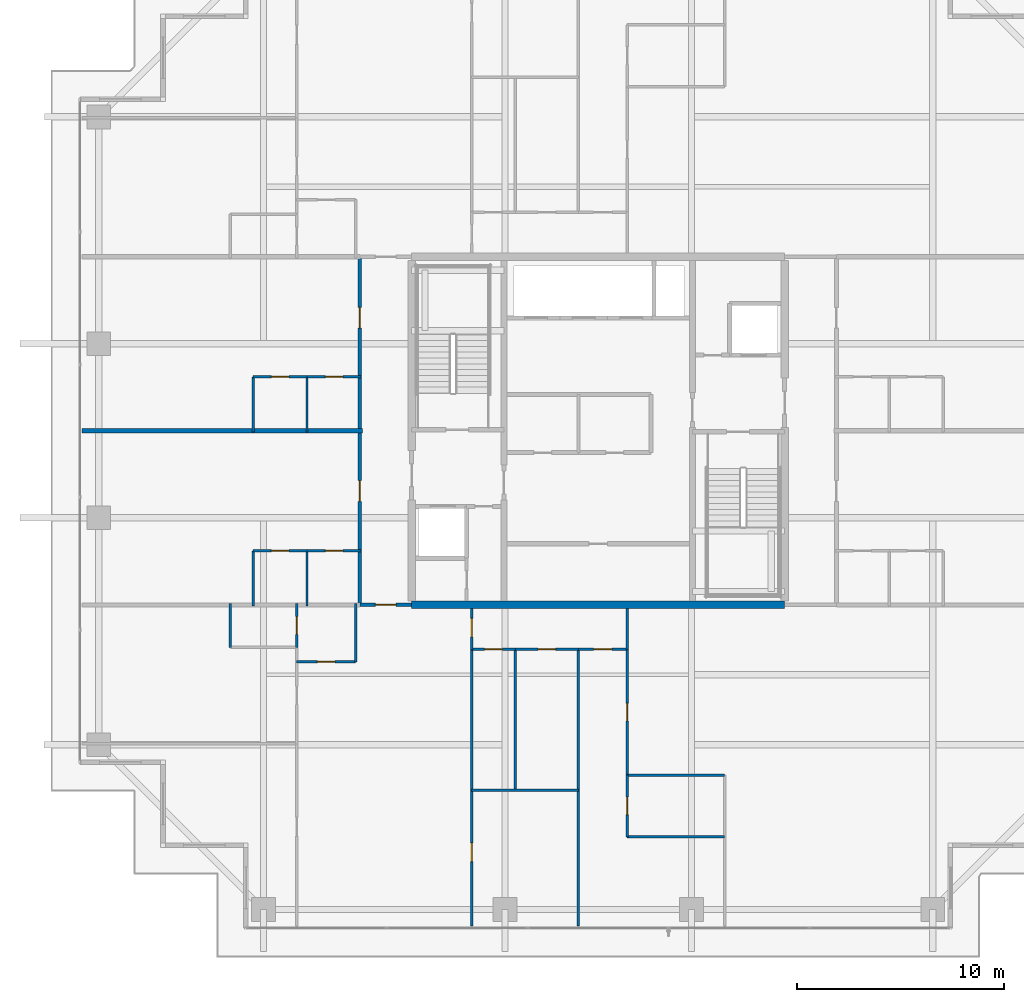
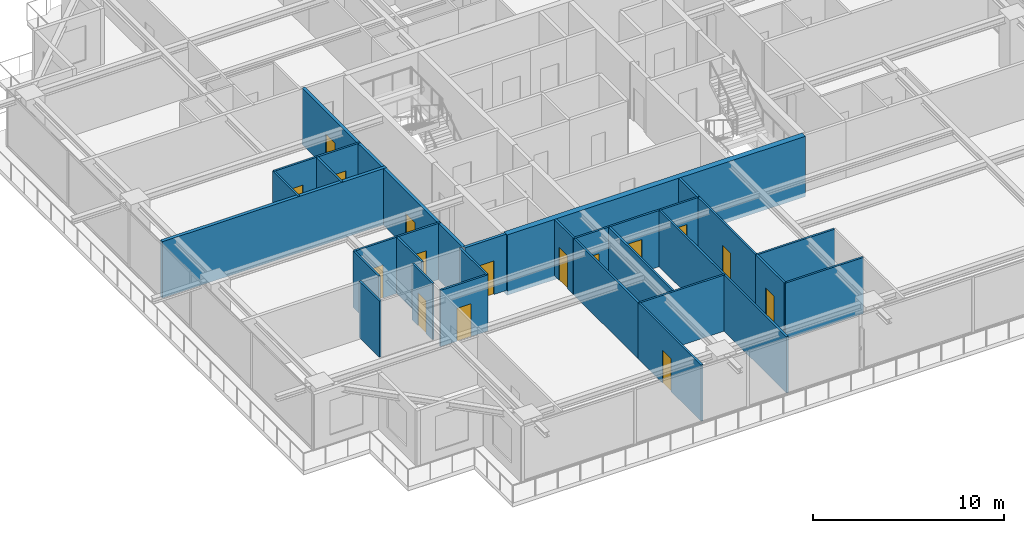
# One storey, part 26 of 38: 30 walls, 16 doors, 16 openings.
"""IFC4 building model written with IfcOpenShell, lengths in metres."""

from ifc_helpers import new_model, si_unit, direction, frame, frame_2d, origin, place, context, subcontext, project, spatial, rectangle, extrude, source, transform, mapped, material, layer, layer_set, type_object, element, fill, save


model = new_model("IFC4")

# Units and contexts
model_context = context("Model", 3, precision=1e-05, world=origin(), true_north=direction((0.0, 1.0)))
body_context = subcontext(model_context, "Body", "Model", "MODEL_VIEW")
ifc_project = project(units=[si_unit("LENGTHUNIT", "METRE"), si_unit("AREAUNIT", "SQUARE_METRE"), si_unit("VOLUMEUNIT", "CUBIC_METRE"), si_unit("PLANEANGLEUNIT", "RADIAN"), si_unit("MASSUNIT", "GRAM", prefix="KILO")], contexts=[model_context])

# Site, building, storey
site_placement = place(None, origin())
site = spatial("IfcSite", under=ifc_project, at=site_placement, CompositionType="ELEMENT")
building_placement = place(site_placement, origin())
building = spatial("IfcBuilding", under=site, at=building_placement, Name="Serunith Strait Residences", CompositionType="ELEMENT")
storey_placement = place(building_placement, frame((0.0, 0.0, 264.35009765625)))
storey = spatial("IfcBuildingStorey", under=building, at=storey_placement, Name="L66", CompositionType="ELEMENT", Elevation=264.35009765625)

# Wall, opening, door
ifc_material_1 = material(Name="Fire-rated acoustic gypsum partition")
ifc_layer_1 = layer(ifc_material_1, 0.179931640625, Name="Fire-rated acoustic gypsum partition")
ifc_layer_set_1 = layer_set([ifc_layer_1], Name="Fire-rated acoustic gypsum partition")
wall_type_1 = type_object("IfcWallType", Name="IW-CORR-180", PredefinedType="PARTITIONING", material=ifc_layer_set_1)
wall_1_placement = place(storey_placement, frame((20.902099609375, 16.800048828125, 0.0), z_axis=(0.0, 0.0, 1.0), x_axis=(1.0, 0.0, 0.0)))
wall_1 = element("IfcWall", 1, at=wall_1_placement, inside=storey, type_object=wall_type_1, Name="L66 Partition Wall 024", PredefinedType="PARTITIONING", context=body_context, shape_type="SweptSolid", body=[
    extrude(rectangle(XDim=2.495849609375, YDim=0.179931640625, at=frame_2d((1.248046875, 0.0))), origin(), (0.0, 0.0, 1.0), 3.58984375),
])
opening_1_placement = place(wall_1_placement, frame((0.748046875, 0.0, 0.0)))
opening_1 = element("IfcOpeningElement", 2, at=opening_1_placement, cuts=wall_1, Name="Opening D-APT1000", PredefinedType="OPENING", context=body_context, shape_type="SweptSolid", body=[
    extrude(rectangle(XDim=1.0, YDim=2.14990234375, at=frame_2d((0.5, 1.074951171875))), frame((0.0, 0.10009765625, 0.0), z_axis=(0.0, -1.0, 0.0), x_axis=(1.0, 0.0, 0.0)), (0.0, 0.0, 1.0), 0.199951171875),
])
ifc_material_2 = material(Name="Solid timber engineered fire door", Category="wood")
door_type_1 = type_object("IfcDoorType", Name="ID-APT-1000", OperationType="NOTDEFINED", PredefinedType="DOOR", material=ifc_material_2)
shared_shape_1 = source(origin(), body_context, "Body", "SweptSolid", [
    extrude(rectangle(XDim=1.0, YDim=2.14990234375, at=frame_2d((0.5, 1.074951171875))), frame((0.0, 0.02490234375, 0.0), z_axis=(0.0, -1.0, 0.0), x_axis=(1.0, 0.0, 0.0)), (0.0, 0.0, 1.0), 0.050048828125),
])
door_1_placement = place(opening_1_placement, origin())
door_1 = element("IfcDoor", 3, at=door_1_placement, inside=storey, type_object=door_type_1, Name="L66 Unit 01 Entrance Door", OperationType="SINGLE_SWING_RIGHT", OverallHeight=2.14990234375, OverallWidth=1.0, PredefinedType="DOOR", context=body_context, shape_type="MappedRepresentation", body=[
    mapped(shared_shape_1, transform((0.0, 0.0, 0.0), scale=1.0)),
])
fill(opening_1, door_1)

# Wall, openings, doors
wall_2_placement = place(storey_placement, frame((20.89990234375, 16.800048828125, 0.0), z_axis=(0.0, 0.0, 1.0), x_axis=(0.0, 1.0, 0.0)))
wall_2 = element("IfcWall", 4, at=wall_2_placement, inside=storey, type_object=wall_type_1, Name="L66 Partition Wall 026", PredefinedType="PARTITIONING", context=body_context, shape_type="SweptSolid", body=[
    extrude(rectangle(XDim=16.800048828125, YDim=0.179931640625, at=frame_2d((8.39990234375, 0.0))), origin(), (0.0, 0.0, 1.0), 3.58984375),
])
opening_2_placement = place(wall_2_placement, frame((4.992919921875, 0.0, 0.0)))
opening_2 = element("IfcOpeningElement", 5, at=opening_2_placement, cuts=wall_2, Name="Opening D-APT1000", PredefinedType="OPENING", context=body_context, shape_type="SweptSolid", body=[
    extrude(rectangle(XDim=1.0, YDim=2.14990234375, at=frame_2d((0.5, 1.074951171875))), frame((0.0, 0.10009765625, 0.0), z_axis=(0.0, -1.0, 0.0), x_axis=(1.0, 0.0, 0.0)), (0.0, 0.0, 1.0), 0.199951171875),
])
opening_3_placement = place(wall_2_placement, frame((13.35107421875, 0.0, 0.0)))
opening_3 = element("IfcOpeningElement", 6, at=opening_3_placement, cuts=wall_2, Name="Opening D-APT1000", PredefinedType="OPENING", context=body_context, shape_type="SweptSolid", body=[
    extrude(rectangle(XDim=1.0, YDim=2.14990234375, at=frame_2d((0.5, 1.074951171875))), frame((0.0, 0.10009765625, 0.0), z_axis=(0.0, -1.0, 0.0), x_axis=(1.0, 0.0, 0.0)), (0.0, 0.0, 1.0), 0.199951171875),
])
door_2_placement = place(opening_2_placement, origin())
door_2 = element("IfcDoor", 7, at=door_2_placement, inside=storey, type_object=door_type_1, Name="L66 Unit 03 Entrance Door", OperationType="SINGLE_SWING_RIGHT", OverallHeight=2.14990234375, OverallWidth=1.0, PredefinedType="DOOR", context=body_context, shape_type="MappedRepresentation", body=[
    mapped(shared_shape_1, transform((0.0, 0.0, 0.0), scale=1.0)),
])
fill(opening_2, door_2)
door_3_placement = place(opening_3_placement, origin())
door_3 = element("IfcDoor", 8, at=door_3_placement, inside=storey, type_object=door_type_1, Name="L66 Unit 04 Entrance Door", OperationType="SINGLE_SWING_LEFT", OverallHeight=2.14990234375, OverallWidth=1.0, PredefinedType="DOOR", context=body_context, shape_type="MappedRepresentation", body=[
    mapped(shared_shape_1, transform((0.0, 0.0, 0.0), scale=1.0)),
])
fill(opening_3, door_3)

# Wall, opening, door
ifc_material_3 = material(Name="Lightweight steel-stud gypsum partition", Category="steel")
ifc_layer_2 = layer(ifc_material_3, 0.1201171875, Name="Lightweight steel-stud gypsum partition")
ifc_layer_set_2 = layer_set([ifc_layer_2], Name="Lightweight steel-stud gypsum partition")
wall_type_2 = type_object("IfcWallType", Name="IW-PART-120", PredefinedType="PARTITIONING", material=ifc_layer_set_2)
wall_3_placement = place(storey_placement, frame((17.85009765625, 14.050048828125, 0.0), z_axis=(0.0, 0.0, 1.0), x_axis=(1.0, 0.0, 0.0)))
wall_3 = element("IfcWall", 9, at=wall_3_placement, inside=storey, type_object=wall_type_2, Name="L66 Partition Wall 030", PredefinedType="PARTITIONING", context=body_context, shape_type="SweptSolid", body=[
    extrude(rectangle(XDim=2.849853515625, YDim=0.1201171875, at=frame_2d((1.4248046875, 0.0))), origin(), (0.0, 0.0, 1.0), 3.58984375),
])
opening_4_placement = place(wall_3_placement, frame((1.0, 0.0, 0.0)))
opening_4 = element("IfcOpeningElement", 10, at=opening_4_placement, cuts=wall_3, Name="Opening D-RM850", PredefinedType="OPENING", context=body_context, shape_type="SweptSolid", body=[
    extrude(rectangle(XDim=0.85009765625, YDim=2.10009765625, at=frame_2d((0.425048828125, 1.050048828125))), frame((0.0, 0.070068359375, 0.0), z_axis=(0.0, -1.0, 0.0), x_axis=(1.0, 0.0, 0.0)), (0.0, 0.0, 1.0), 0.14013671875),
])
ifc_material_4 = material(Name="Engineered timber flush study and kitchen door", Category="wood")
door_type_2 = type_object("IfcDoorType", Name="ID-ROOM-850", OperationType="NOTDEFINED", PredefinedType="DOOR", material=ifc_material_4)
shared_shape_2 = source(origin(), body_context, "Body", "SweptSolid", [
    extrude(rectangle(XDim=0.85009765625, YDim=2.10009765625, at=frame_2d((0.425048828125, 1.050048828125))), frame((0.0, 0.02490234375, 0.0), z_axis=(0.0, -1.0, 0.0), x_axis=(1.0, 0.0, 0.0)), (0.0, 0.0, 1.0), 0.050048828125),
])
door_4_placement = place(opening_4_placement, origin())
door_4 = element("IfcDoor", 11, at=door_4_placement, inside=storey, type_object=door_type_2, Name="L66 Kitchen 6601 Door", OperationType="SINGLE_SWING_RIGHT", OverallHeight=2.10009765625, OverallWidth=0.85009765625, PredefinedType="DOOR", context=body_context, shape_type="MappedRepresentation", body=[
    mapped(shared_shape_2, transform((0.0, 0.0, 0.0), scale=1.0)),
])
fill(opening_4, door_4)

# Walls
wall_4_placement = place(storey_placement, frame((20.699951171875, 14.050048828125, 0.0), z_axis=(0.0, 0.0, 1.0), x_axis=(0.0, 1.0, 0.0)))
element("IfcWall", 12, at=wall_4_placement, inside=storey, type_object=wall_type_2, Name="L66 Partition Wall 031", PredefinedType="PARTITIONING", context=body_context, shape_type="SweptSolid", body=[
    extrude(rectangle(XDim=2.81005859375, YDim=0.1201171875, at=frame_2d((1.405029296875, 0.0))), origin(), (0.0, 0.0, 1.0), 3.58984375),
])
wall_5_placement = place(storey_placement, frame((14.64990234375, 14.75, 0.0), z_axis=(0.0, 0.0, 1.0), x_axis=(0.0, 1.0, 0.0)))
element("IfcWall", 13, at=wall_5_placement, inside=storey, type_object=wall_type_2, Name="L66 Partition Wall 035", PredefinedType="PARTITIONING", context=body_context, shape_type="SweptSolid", body=[
    extrude(rectangle(XDim=2.110107421875, YDim=0.1201171875, at=frame_2d((1.05517578125, 0.0))), origin(), (0.0, 0.0, 1.0), 3.58984375),
])

# Wall, opening, door
wall_6_placement = place(storey_placement, frame((17.85009765625, 14.751953125, 0.0), z_axis=(0.0, 0.0, 1.0), x_axis=(0.0, 1.0, 0.0)))
wall_6 = element("IfcWall", 14, at=wall_6_placement, inside=storey, type_object=wall_type_2, Name="L66 Partition Wall 037", PredefinedType="PARTITIONING", context=body_context, shape_type="SweptSolid", body=[
    extrude(rectangle(XDim=2.108154296875, YDim=0.1201171875, at=frame_2d((1.05419921875, 0.0))), origin(), (0.0, 0.0, 1.0), 3.58984375),
])
opening_5_placement = place(wall_6_placement, frame((0.62890625, 0.0, 0.0)))
opening_5 = element("IfcOpeningElement", 15, at=opening_5_placement, cuts=wall_6, Name="Opening D-BTH850", PredefinedType="OPENING", context=body_context, shape_type="SweptSolid", body=[
    extrude(rectangle(XDim=0.85009765625, YDim=2.10009765625, at=frame_2d((0.425048828125, 1.050048828125))), frame((0.0, 0.070068359375, 0.0), z_axis=(0.0, -1.0, 0.0), x_axis=(1.0, 0.0, 0.0)), (0.0, 0.0, 1.0), 0.14013671875),
])
ifc_material_5 = material(Name="Moisture-resistant timber bathroom door", Category="wood")
door_type_3 = type_object("IfcDoorType", Name="ID-BATH-850", OperationType="NOTDEFINED", PredefinedType="DOOR", material=ifc_material_5)
door_5_placement = place(opening_5_placement, origin())
door_5 = element("IfcDoor", 16, at=door_5_placement, inside=storey, type_object=door_type_3, Name="L66 Bathroom 6601 Door", OperationType="SINGLE_SWING_LEFT", OverallHeight=2.10009765625, OverallWidth=0.85009765625, PredefinedType="DOOR", context=body_context, shape_type="MappedRepresentation", body=[
    mapped(shared_shape_2, transform((0.0, 0.0, 0.0), scale=1.0)),
])
fill(opening_5, door_5)

wall_7_placement = place(storey_placement, frame((26.300048828125, 14.64990234375, 0.0), z_axis=(0.0, 0.0, 1.0), x_axis=(0.0, 1.0, 0.0)))
wall_7 = element("IfcWall", 17, at=wall_7_placement, inside=storey, type_object=wall_type_2, Name="L66 Partition Wall 038", PredefinedType="PARTITIONING", context=body_context, shape_type="SweptSolid", body=[
    extrude(rectangle(XDim=1.97509765625, YDim=0.1201171875, at=frame_2d((0.987548828125, 0.0))), origin(), (0.0, 0.0, 1.0), 3.58984375),
])
opening_6_placement = place(wall_7_placement, frame((0.60107421875, 0.0, 0.0)))
opening_6 = element("IfcOpeningElement", 18, at=opening_6_placement, cuts=wall_7, Name="Opening D-RM900", PredefinedType="OPENING", context=body_context, shape_type="SweptSolid", body=[
    extrude(rectangle(XDim=0.89990234375, YDim=2.10009765625, at=frame_2d((0.449951171875, 1.050048828125))), frame((0.0, 0.070068359375, 0.0), z_axis=(0.0, -1.0, 0.0), x_axis=(1.0, 0.0, 0.0)), (0.0, 0.0, 1.0), 0.14013671875),
])
ifc_material_6 = material(Name="Engineered timber flush bedroom door", Category="wood")
door_type_4 = type_object("IfcDoorType", Name="ID-ROOM-900", OperationType="NOTDEFINED", PredefinedType="DOOR", material=ifc_material_6)
shared_shape_3 = source(origin(), body_context, "Body", "SweptSolid", [
    extrude(rectangle(XDim=0.89990234375, YDim=2.10009765625, at=frame_2d((0.449951171875, 1.050048828125))), frame((0.0, 0.02490234375, 0.0), z_axis=(0.0, -1.0, 0.0), x_axis=(1.0, 0.0, 0.0)), (0.0, 0.0, 1.0), 0.050048828125),
])
door_6_placement = place(opening_6_placement, origin())
door_6 = element("IfcDoor", 19, at=door_6_placement, inside=storey, type_object=door_type_4, Name="L66 Hall E 6601 Door", OperationType="SINGLE_SWING_RIGHT", OverallHeight=2.10009765625, OverallWidth=0.89990234375, PredefinedType="DOOR", context=body_context, shape_type="MappedRepresentation", body=[
    mapped(shared_shape_3, transform((0.0, 0.0, 0.0), scale=1.0)),
])
fill(opening_6, door_6)

wall_8_placement = place(storey_placement, frame((26.300048828125, 1.294921875, 0.0), z_axis=(0.0, 0.0, 1.0), x_axis=(0.0, 1.0, 0.0)))
wall_8 = element("IfcWall", 20, at=wall_8_placement, inside=storey, type_object=wall_type_2, Name="L66 Partition Wall 039", PredefinedType="PARTITIONING", context=body_context, shape_type="SweptSolid", body=[
    extrude(rectangle(XDim=6.565185546875, YDim=0.1201171875, at=frame_2d((3.28271484375, 0.0))), origin(), (0.0, 0.0, 1.0), 3.58984375),
])
opening_7_placement = place(wall_8_placement, frame((3.115966796875, 0.0, 0.0)))
opening_7 = element("IfcOpeningElement", 21, at=opening_7_placement, cuts=wall_8, Name="Opening D-RM900", PredefinedType="OPENING", context=body_context, shape_type="SweptSolid", body=[
    extrude(rectangle(XDim=0.89990234375, YDim=2.10009765625, at=frame_2d((0.449951171875, 1.050048828125))), frame((0.0, 0.070068359375, 0.0), z_axis=(0.0, -1.0, 0.0), x_axis=(1.0, 0.0, 0.0)), (0.0, 0.0, 1.0), 0.14013671875),
])
door_7_placement = place(opening_7_placement, origin())
door_7 = element("IfcDoor", 22, at=door_7_placement, inside=storey, type_object=door_type_4, Name="L66 Formal Dining Room 2 6601 Door", OperationType="SINGLE_SWING_LEFT", OverallHeight=2.10009765625, OverallWidth=0.89990234375, PredefinedType="DOOR", context=body_context, shape_type="MappedRepresentation", body=[
    mapped(shared_shape_3, transform((0.0, 0.0, 0.0), scale=1.0)),
])
fill(opening_7, door_7)

# Walls
wall_9_placement = place(storey_placement, frame((26.300048828125, 7.862060546875, 0.0), z_axis=(0.0, 0.0, 1.0), x_axis=(0.0, 1.0, 0.0)))
element("IfcWall", 23, at=wall_9_placement, inside=storey, type_object=wall_type_2, Name="L66 Partition Wall 040", PredefinedType="PARTITIONING", context=body_context, shape_type="SweptSolid", body=[
    extrude(rectangle(XDim=6.785888671875, YDim=0.1201171875, at=frame_2d((3.39306640625, 0.0))), origin(), (0.0, 0.0, 1.0), 3.58984375),
])
wall_10_placement = place(storey_placement, frame((26.300048828125, 7.860107421875, 0.0), z_axis=(0.0, 0.0, 1.0), x_axis=(1.0, 0.0, 0.0)))
element("IfcWall", 24, at=wall_10_placement, inside=storey, type_object=wall_type_2, Name="L66 Partition Wall 041", PredefinedType="PARTITIONING", context=body_context, shape_type="SweptSolid", body=[
    extrude(rectangle(XDim=5.14990234375, YDim=0.1201171875, at=frame_2d((2.574951171875, 0.0))), origin(), (0.0, 0.0, 1.0), 3.58984375),
])
wall_11_placement = place(storey_placement, frame((31.449951171875, 1.294921875, 0.0), z_axis=(0.0, 0.0, 1.0), x_axis=(0.0, 1.0, 0.0)))
element("IfcWall", 25, at=wall_11_placement, inside=storey, type_object=wall_type_2, Name="L66 Partition Wall 042", PredefinedType="PARTITIONING", context=body_context, shape_type="SweptSolid", body=[
    extrude(rectangle(XDim=13.35498046875, YDim=0.1201171875, at=frame_2d((6.677490234375, 0.0))), origin(), (0.0, 0.0, 1.0), 3.58984375),
])
wall_12_placement = place(storey_placement, frame((28.39990234375, 7.860107421875, 0.0), z_axis=(0.0, 0.0, 1.0), x_axis=(0.0, 1.0, 0.0)))
element("IfcWall", 26, at=wall_12_placement, inside=storey, type_object=wall_type_2, Name="L66 Partition Wall 043", PredefinedType="PARTITIONING", context=body_context, shape_type="SweptSolid", body=[
    extrude(rectangle(XDim=6.789794921875, YDim=0.1201171875, at=frame_2d((3.39501953125, 0.0))), origin(), (0.0, 0.0, 1.0), 3.58984375),
])

# Wall, opening, door
wall_13_placement = place(storey_placement, frame((26.300048828125, 14.64990234375, 0.0), z_axis=(0.0, 0.0, 1.0), x_axis=(1.0, 0.0, 0.0)))
wall_13 = element("IfcWall", 27, at=wall_13_placement, inside=storey, type_object=wall_type_2, Name="L66 Partition Wall 044", PredefinedType="PARTITIONING", context=body_context, shape_type="SweptSolid", body=[
    extrude(rectangle(XDim=2.099853515625, YDim=0.1201171875, at=frame_2d((1.0498046875, 0.0))), origin(), (0.0, 0.0, 1.0), 3.58984375),
])
opening_8_placement = place(wall_13_placement, frame((0.625, 0.0, 0.0)))
opening_8 = element("IfcOpeningElement", 28, at=opening_8_placement, cuts=wall_13, Name="Opening D-RM850", PredefinedType="OPENING", context=body_context, shape_type="SweptSolid", body=[
    extrude(rectangle(XDim=0.85009765625, YDim=2.10009765625, at=frame_2d((0.425048828125, 1.050048828125))), frame((0.0, 0.070068359375, 0.0), z_axis=(0.0, -1.0, 0.0), x_axis=(1.0, 0.0, 0.0)), (0.0, 0.0, 1.0), 0.14013671875),
])
door_8_placement = place(opening_8_placement, origin())
door_8 = element("IfcDoor", 29, at=door_8_placement, inside=storey, type_object=door_type_2, Name="L66 Study 6601 Door", OperationType="SINGLE_SWING_RIGHT", OverallHeight=2.10009765625, OverallWidth=0.85009765625, PredefinedType="DOOR", context=body_context, shape_type="MappedRepresentation", body=[
    mapped(shared_shape_2, transform((0.0, 0.0, 0.0), scale=1.0)),
])
fill(opening_8, door_8)

wall_14_placement = place(storey_placement, frame((28.402099609375, 14.64990234375, 0.0), z_axis=(0.0, 0.0, 1.0), x_axis=(1.0, 0.0, 0.0)))
wall_14 = element("IfcWall", 30, at=wall_14_placement, inside=storey, type_object=wall_type_2, Name="L66 Partition Wall 045", PredefinedType="PARTITIONING", context=body_context, shape_type="SweptSolid", body=[
    extrude(rectangle(XDim=3.0478515625, YDim=0.1201171875, at=frame_2d((1.52392578125, 0.0))), origin(), (0.0, 0.0, 1.0), 3.58984375),
])
opening_9_placement = place(wall_14_placement, frame((1.09912109375, 0.0, 0.0)))
opening_9 = element("IfcOpeningElement", 31, at=opening_9_placement, cuts=wall_14, Name="Opening D-RM850", PredefinedType="OPENING", context=body_context, shape_type="SweptSolid", body=[
    extrude(rectangle(XDim=0.85009765625, YDim=2.10009765625, at=frame_2d((0.425048828125, 1.050048828125))), frame((0.0, 0.070068359375, 0.0), z_axis=(0.0, -1.0, 0.0), x_axis=(1.0, 0.0, 0.0)), (0.0, 0.0, 1.0), 0.14013671875),
])
door_9_placement = place(opening_9_placement, origin())
door_9 = element("IfcDoor", 32, at=door_9_placement, inside=storey, type_object=door_type_2, Name="L66 Formal Dining Room 6601 Door", OperationType="SINGLE_SWING_LEFT", OverallHeight=2.10009765625, OverallWidth=0.85009765625, PredefinedType="DOOR", context=body_context, shape_type="MappedRepresentation", body=[
    mapped(shared_shape_2, transform((0.0, 0.0, 0.0), scale=1.0)),
])
fill(opening_9, door_9)

wall_15_placement = place(storey_placement, frame((31.451904296875, 14.64990234375, 0.0), z_axis=(0.0, 0.0, 1.0), x_axis=(1.0, 0.0, 0.0)))
wall_15 = element("IfcWall", 33, at=wall_15_placement, inside=storey, type_object=wall_type_2, Name="L66 Partition Wall 046", PredefinedType="PARTITIONING", context=body_context, shape_type="SweptSolid", body=[
    extrude(rectangle(XDim=2.34814453125, YDim=0.1201171875, at=frame_2d((1.174072265625, 0.0))), origin(), (0.0, 0.0, 1.0), 3.58984375),
])
opening_10_placement = place(wall_15_placement, frame((0.72412109375, 0.0, 0.0)))
opening_10 = element("IfcOpeningElement", 34, at=opening_10_placement, cuts=wall_15, Name="Opening D-RM900", PredefinedType="OPENING", context=body_context, shape_type="SweptSolid", body=[
    extrude(rectangle(XDim=0.89990234375, YDim=2.10009765625, at=frame_2d((0.449951171875, 1.050048828125))), frame((0.0, 0.070068359375, 0.0), z_axis=(0.0, -1.0, 0.0), x_axis=(1.0, 0.0, 0.0)), (0.0, 0.0, 1.0), 0.14013671875),
])
door_10_placement = place(opening_10_placement, origin())
door_10 = element("IfcDoor", 35, at=door_10_placement, inside=storey, type_object=door_type_4, Name="L66 Master Bedroom E 6601 Door", OperationType="SINGLE_SWING_RIGHT", OverallHeight=2.10009765625, OverallWidth=0.89990234375, PredefinedType="DOOR", context=body_context, shape_type="MappedRepresentation", body=[
    mapped(shared_shape_3, transform((0.0, 0.0, 0.0), scale=1.0)),
])
fill(opening_10, door_10)

# Walls
for number, where, z_axis, x_axis, name in (
    (36, (33.800048828125, 5.60888671875, 0.0), (0.0, 0.0, 1.0), (1.0, 0.0, 0.0), "L66 Partition Wall 047"),
    (37, (33.800048828125, 8.587890625, 0.0), (0.0, 0.0, 1.0), (1.0, 0.0, 0.0), "L66 Partition Wall 049"),
):
    element("IfcWall", number, at=place(storey_placement, frame(where, z_axis=z_axis, x_axis=x_axis)), inside=storey, type_object=wall_type_2, Name=name, PredefinedType="PARTITIONING", context=body_context, shape_type="SweptSolid", body=[
        extrude(rectangle(XDim=4.699951171875, YDim=0.1201171875, at=frame_2d((2.35009765625, 0.0))), origin(), (0.0, 0.0, 1.0), 3.58984375),
    ])

# Wall, opening, door
wall_16_placement = place(storey_placement, frame((33.800048828125, 5.60888671875, 0.0), z_axis=(0.0, 0.0, 1.0), x_axis=(0.0, 1.0, 0.0)))
wall_16 = element("IfcWall", 38, at=wall_16_placement, inside=storey, type_object=wall_type_2, Name="L66 Partition Wall 050", PredefinedType="PARTITIONING", context=body_context, shape_type="SweptSolid", body=[
    extrude(rectangle(XDim=2.97900390625, YDim=0.1201171875, at=frame_2d((1.489501953125, 0.0))), origin(), (0.0, 0.0, 1.0), 3.58984375),
])
opening_11_placement = place(wall_16_placement, frame((1.06396484375, 0.0, 0.0)))
opening_11 = element("IfcOpeningElement", 39, at=opening_11_placement, cuts=wall_16, Name="Opening D-BTH850", PredefinedType="OPENING", context=body_context, shape_type="SweptSolid", body=[
    extrude(rectangle(XDim=0.85009765625, YDim=2.10009765625, at=frame_2d((0.425048828125, 1.050048828125))), frame((0.0, 0.070068359375, 0.0), z_axis=(0.0, -1.0, 0.0), x_axis=(1.0, 0.0, 0.0)), (0.0, 0.0, 1.0), 0.14013671875),
])
door_11_placement = place(opening_11_placement, origin())
door_11 = element("IfcDoor", 40, at=door_11_placement, inside=storey, type_object=door_type_3, Name="L66 En-suite Bathroom E 6601 Door", OperationType="SINGLE_SWING_LEFT", OverallHeight=2.10009765625, OverallWidth=0.85009765625, PredefinedType="DOOR", context=body_context, shape_type="MappedRepresentation", body=[
    mapped(shared_shape_2, transform((0.0, 0.0, 0.0), scale=1.0)),
])
fill(opening_11, door_11)

wall_17_placement = place(storey_placement, frame((33.800048828125, 8.590087890625, 0.0), z_axis=(0.0, 0.0, 1.0), x_axis=(0.0, 1.0, 0.0)))
wall_17 = element("IfcWall", 41, at=wall_17_placement, inside=storey, type_object=wall_type_2, Name="L66 Partition Wall 051", PredefinedType="PARTITIONING", context=body_context, shape_type="SweptSolid", body=[
    extrude(rectangle(XDim=6.059814453125, YDim=0.1201171875, at=frame_2d((3.02978515625, 0.0))), origin(), (0.0, 0.0, 1.0), 3.58984375),
])
opening_12_placement = place(wall_17_placement, frame((2.60498046875, 0.0, 0.0)))
opening_12 = element("IfcOpeningElement", 42, at=opening_12_placement, cuts=wall_17, Name="Opening D-RM850", PredefinedType="OPENING", context=body_context, shape_type="SweptSolid", body=[
    extrude(rectangle(XDim=0.85009765625, YDim=2.10009765625, at=frame_2d((0.425048828125, 1.050048828125))), frame((0.0, 0.070068359375, 0.0), z_axis=(0.0, -1.0, 0.0), x_axis=(1.0, 0.0, 0.0)), (0.0, 0.0, 1.0), 0.14013671875),
])
door_12_placement = place(opening_12_placement, origin())
door_12 = element("IfcDoor", 43, at=door_12_placement, inside=storey, type_object=door_type_2, Name="L66 Wardrobe E 6601 Door", OperationType="SINGLE_SWING_RIGHT", OverallHeight=2.10009765625, OverallWidth=0.85009765625, PredefinedType="DOOR", context=body_context, shape_type="MappedRepresentation", body=[
    mapped(shared_shape_2, transform((0.0, 0.0, 0.0), scale=1.0)),
])
fill(opening_12, door_12)

# Wall
wall_18_placement = place(storey_placement, frame((33.800048828125, 14.652099609375, 0.0), z_axis=(0.0, 0.0, 1.0), x_axis=(0.0, 1.0, 0.0)))
element("IfcWall", 44, at=wall_18_placement, inside=storey, type_object=wall_type_2, Name="L66 Partition Wall 052", PredefinedType="PARTITIONING", context=body_context, shape_type="SweptSolid", body=[
    extrude(rectangle(XDim=1.972900390625, YDim=0.1201171875, at=frame_2d((0.986328125, 0.0))), origin(), (0.0, 0.0, 1.0), 3.58984375),
])

# Wall, opening, door
wall_19_placement = place(storey_placement, frame((15.75, 19.39990234375, 0.0), z_axis=(0.0, 0.0, 1.0), x_axis=(1.0, 0.0, 0.0)))
wall_19 = element("IfcWall", 45, at=wall_19_placement, inside=storey, type_object=wall_type_2, Name="L66 Partition Wall 076", PredefinedType="PARTITIONING", context=body_context, shape_type="SweptSolid", body=[
    extrude(rectangle(XDim=2.60009765625, YDim=0.1201171875, at=frame_2d((1.300048828125, 0.0))), origin(), (0.0, 0.0, 1.0), 3.58984375),
])
opening_13_placement = place(wall_19_placement, frame((0.875, 0.0, 0.0)))
opening_13 = element("IfcOpeningElement", 46, at=opening_13_placement, cuts=wall_19, Name="Opening D-RM850", PredefinedType="OPENING", context=body_context, shape_type="SweptSolid", body=[
    extrude(rectangle(XDim=0.85009765625, YDim=2.10009765625, at=frame_2d((0.425048828125, 1.050048828125))), frame((0.0, 0.070068359375, 0.0), z_axis=(0.0, -1.0, 0.0), x_axis=(1.0, 0.0, 0.0)), (0.0, 0.0, 1.0), 0.14013671875),
])
door_13_placement = place(opening_13_placement, origin())
door_13 = element("IfcDoor", 47, at=door_13_placement, inside=storey, type_object=door_type_2, Name="L66 Kitchen 6603 Door", OperationType="SINGLE_SWING_RIGHT", OverallHeight=2.10009765625, OverallWidth=0.85009765625, PredefinedType="DOOR", context=body_context, shape_type="MappedRepresentation", body=[
    mapped(shared_shape_2, transform((0.0, 0.0, 0.0), scale=1.0)),
])
fill(opening_13, door_13)

wall_20_placement = place(storey_placement, frame((18.35205078125, 19.39990234375, 0.0), z_axis=(0.0, 0.0, 1.0), x_axis=(1.0, 0.0, 0.0)))
wall_20 = element("IfcWall", 48, at=wall_20_placement, inside=storey, type_object=wall_type_2, Name="L66 Partition Wall 077", PredefinedType="PARTITIONING", context=body_context, shape_type="SweptSolid", body=[
    extrude(rectangle(XDim=2.60791015625, YDim=0.1201171875, at=frame_2d((1.303955078125, 0.0))), origin(), (0.0, 0.0, 1.0), 3.58984375),
])
opening_14_placement = place(wall_20_placement, frame((0.87890625, 0.0, 0.0)))
opening_14 = element("IfcOpeningElement", 49, at=opening_14_placement, cuts=wall_20, Name="Opening D-BTH850", PredefinedType="OPENING", context=body_context, shape_type="SweptSolid", body=[
    extrude(rectangle(XDim=0.85009765625, YDim=2.10009765625, at=frame_2d((0.425048828125, 1.050048828125))), frame((0.0, 0.070068359375, 0.0), z_axis=(0.0, -1.0, 0.0), x_axis=(1.0, 0.0, 0.0)), (0.0, 0.0, 1.0), 0.14013671875),
])
door_14_placement = place(opening_14_placement, origin())
door_14 = element("IfcDoor", 50, at=door_14_placement, inside=storey, type_object=door_type_3, Name="L66 Bathroom 6603 Door", OperationType="SINGLE_SWING_LEFT", OverallHeight=2.10009765625, OverallWidth=0.85009765625, PredefinedType="DOOR", context=body_context, shape_type="MappedRepresentation", body=[
    mapped(shared_shape_2, transform((0.0, 0.0, 0.0), scale=1.0)),
])
fill(opening_14, door_14)

# Walls
for number, where, z_axis, x_axis, name in (
    (51, (18.35009765625, 16.739990234375, 0.0), (0.0, 0.0, 1.0), (0.0, 1.0, 0.0), "L66 Partition Wall 078"),
    (52, (15.75, 16.739990234375, 0.0), (0.0, 0.0, 1.0), (0.0, 1.0, 0.0), "L66 Partition Wall 079"),
):
    element("IfcWall", number, at=place(storey_placement, frame(where, z_axis=z_axis, x_axis=x_axis)), inside=storey, type_object=wall_type_2, Name=name, PredefinedType="PARTITIONING", context=body_context, shape_type="SweptSolid", body=[
        extrude(rectangle(XDim=2.659912109375, YDim=0.1201171875, at=frame_2d((1.330078125, 0.0))), origin(), (0.0, 0.0, 1.0), 3.58984375),
    ])

# Wall, opening, door
wall_21_placement = place(storey_placement, frame((15.75, 27.800048828125, 0.0), z_axis=(0.0, 0.0, 1.0), x_axis=(1.0, 0.0, 0.0)))
wall_21 = element("IfcWall", 53, at=wall_21_placement, inside=storey, type_object=wall_type_2, Name="L66 Partition Wall 080", PredefinedType="PARTITIONING", context=body_context, shape_type="SweptSolid", body=[
    extrude(rectangle(XDim=2.60009765625, YDim=0.1201171875, at=frame_2d((1.300048828125, 0.0))), origin(), (0.0, 0.0, 1.0), 3.58984375),
])
opening_15_placement = place(wall_21_placement, frame((0.875, 0.0, 0.0)))
opening_15 = element("IfcOpeningElement", 54, at=opening_15_placement, cuts=wall_21, Name="Opening D-RM850", PredefinedType="OPENING", context=body_context, shape_type="SweptSolid", body=[
    extrude(rectangle(XDim=0.85009765625, YDim=2.10009765625, at=frame_2d((0.425048828125, 1.050048828125))), frame((0.0, 0.070068359375, 0.0), z_axis=(0.0, -1.0, 0.0), x_axis=(1.0, 0.0, 0.0)), (0.0, 0.0, 1.0), 0.14013671875),
])
door_15_placement = place(opening_15_placement, origin())
door_15 = element("IfcDoor", 55, at=door_15_placement, inside=storey, type_object=door_type_2, Name="L66 Kitchen 6604 Door", OperationType="SINGLE_SWING_RIGHT", OverallHeight=2.10009765625, OverallWidth=0.85009765625, PredefinedType="DOOR", context=body_context, shape_type="MappedRepresentation", body=[
    mapped(shared_shape_2, transform((0.0, 0.0, 0.0), scale=1.0)),
])
fill(opening_15, door_15)

wall_22_placement = place(storey_placement, frame((18.35205078125, 27.800048828125, 0.0), z_axis=(0.0, 0.0, 1.0), x_axis=(1.0, 0.0, 0.0)))
wall_22 = element("IfcWall", 56, at=wall_22_placement, inside=storey, type_object=wall_type_2, Name="L66 Partition Wall 081", PredefinedType="PARTITIONING", context=body_context, shape_type="SweptSolid", body=[
    extrude(rectangle(XDim=2.60791015625, YDim=0.1201171875, at=frame_2d((1.303955078125, 0.0))), origin(), (0.0, 0.0, 1.0), 3.58984375),
])
opening_16_placement = place(wall_22_placement, frame((0.87890625, 0.0, 0.0)))
opening_16 = element("IfcOpeningElement", 57, at=opening_16_placement, cuts=wall_22, Name="Opening D-BTH850", PredefinedType="OPENING", context=body_context, shape_type="SweptSolid", body=[
    extrude(rectangle(XDim=0.85009765625, YDim=2.10009765625, at=frame_2d((0.425048828125, 1.050048828125))), frame((0.0, 0.070068359375, 0.0), z_axis=(0.0, -1.0, 0.0), x_axis=(1.0, 0.0, 0.0)), (0.0, 0.0, 1.0), 0.14013671875),
])
door_16_placement = place(opening_16_placement, origin())
door_16 = element("IfcDoor", 58, at=door_16_placement, inside=storey, type_object=door_type_3, Name="L66 Bathroom 6604 Door", OperationType="SINGLE_SWING_LEFT", OverallHeight=2.10009765625, OverallWidth=0.85009765625, PredefinedType="DOOR", context=body_context, shape_type="MappedRepresentation", body=[
    mapped(shared_shape_2, transform((0.0, 0.0, 0.0), scale=1.0)),
])
fill(opening_16, door_16)

# Walls
for number, where, z_axis, x_axis, name in (
    (59, (18.35009765625, 25.139892578125, 0.0), (0.0, 0.0, 1.0), (0.0, 1.0, 0.0), "L66 Partition Wall 082"),
    (60, (15.75, 25.139892578125, 0.0), (0.0, 0.0, 1.0), (0.0, 1.0, 0.0), "L66 Partition Wall 083"),
):
    element("IfcWall", number, at=place(storey_placement, frame(where, z_axis=z_axis, x_axis=x_axis)), inside=storey, type_object=wall_type_2, Name=name, PredefinedType="PARTITIONING", context=body_context, shape_type="SweptSolid", body=[
        extrude(rectangle(XDim=2.66015625, YDim=0.1201171875, at=frame_2d((1.330078125, 0.0))), origin(), (0.0, 0.0, 1.0), 3.58984375),
    ])
ifc_material_7 = material(Name="Twin-stud acoustic gypsum board partition")
ifc_layer_3 = layer(ifc_material_7, 0.199951171875, Name="Twin-stud acoustic gypsum board partition")
ifc_layer_set_3 = layer_set([ifc_layer_3], Name="Twin-stud acoustic gypsum board partition")
wall_type_3 = type_object("IfcWallType", Name="IW-PARTY-200", PredefinedType="PARTITIONING", material=ifc_layer_set_3)
wall_23_placement = place(storey_placement, frame((7.48193359375, 25.199951171875, 0.0), z_axis=(0.0, 0.0, 1.0), x_axis=(1.0, 0.0, 0.0)))
element("IfcWall", 61, at=wall_23_placement, inside=storey, type_object=wall_type_3, Name="L66 Partition Wall 018", PredefinedType="PARTITIONING", context=body_context, shape_type="SweptSolid", body=[
    extrude(rectangle(XDim=13.5380859375, YDim=0.199951171875, at=frame_2d((6.76904296875, 0.0))), origin(), (0.0, 0.0, 1.0), 3.58984375),
])
ifc_material_8 = material(Name="Concrete C60/75", Category="concrete")
ifc_layer_4 = layer(ifc_material_8, 0.35009765625, Name="Concrete C60/75")
ifc_layer_set_4 = layer_set([ifc_layer_4], Name="Concrete C60/75")
wall_type_4 = type_object("IfcWallType", Name="SW-350-C60", PredefinedType="SHEAR", material=ifc_layer_set_4)
wall_24_placement = place(storey_placement, frame((23.39990234375, 16.800048828125, -0.260009765625), z_axis=(0.0, 0.0, 1.0), x_axis=(1.0, 0.0, 0.0)))
element("IfcWall", 62, at=wall_24_placement, inside=storey, type_object=wall_type_4, Name="L66 Core South Shear Wall", PredefinedType="SHEAR", context=body_context, shape_type="SweptSolid", body=[
    extrude(rectangle(XDim=18.0, YDim=0.35009765625, at=frame_2d((9.0, 0.0))), origin(), (0.0, 0.0, 1.0), 3.847900390625),
])

save(model, "model.ifc")
